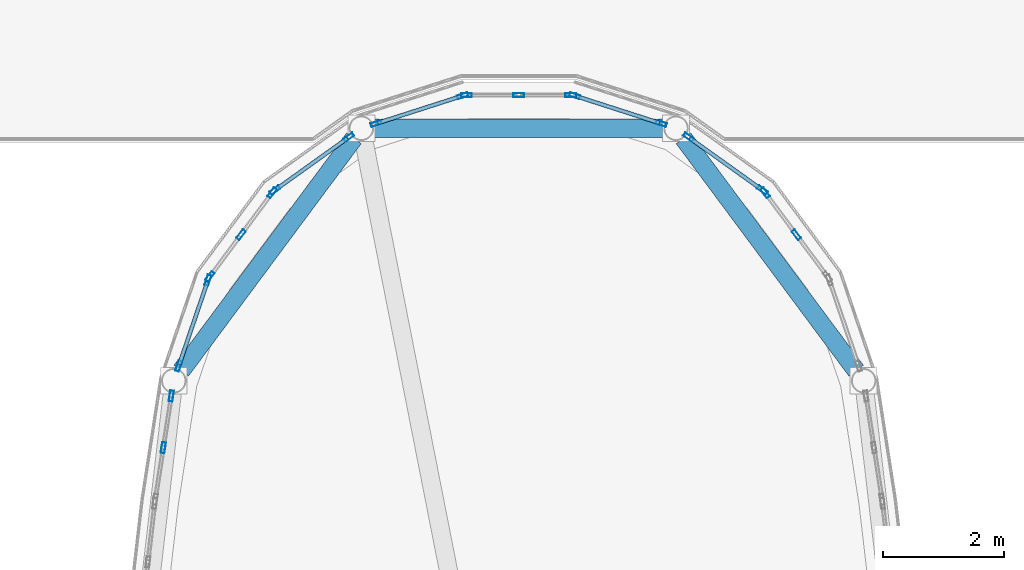
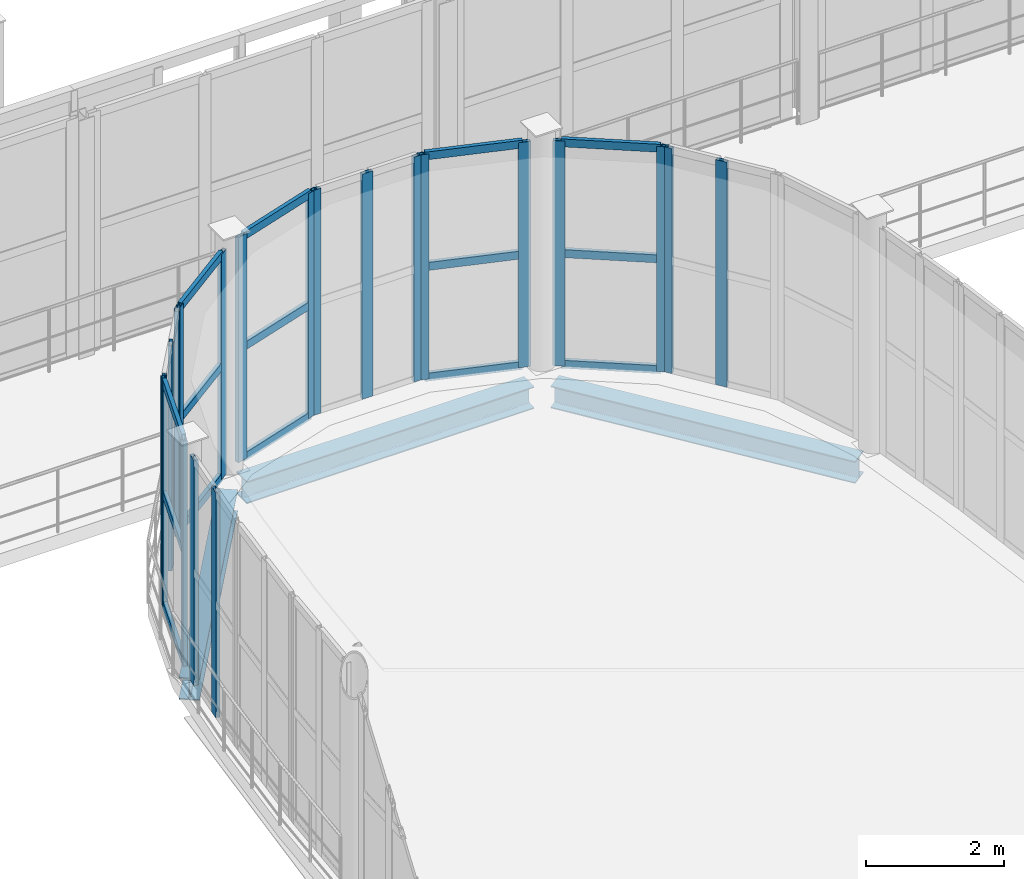
# One storey, part 49 of 121: 35 members, 3 beams, 9 elements without a shape of their own.
"""IFC4 building model written with IfcOpenShell, lengths in metres."""

import ifcopenshell
import ifcopenshell.guid

model = None  # the IFC model being written
_history = None  # IfcOwnerHistory: only IFC2X3 demands one
_inside = {}  # id of a spatial element -> (the spatial element, [elements in it])
_under = {}  # id of a project, library or spatial element -> (it, [spatial elements below it])
_declared = {}  # id of a project -> (the project, [libraries it declares])
_typed = {}  # id of a type object -> (the type object, [elements of that type])
_made_of = {}  # id of a material, layer set ... -> (it, [elements and type objects made of it])


def new_model(schema):
    """Start an empty IFC model of exactly this schema.

    Asked for "IFC4X3", IfcOpenShell would pick the latest addendum, in which some entities
    have other attributes; the version numbers below select the first issue.
    IFC2X3 requires an IfcOwnerHistory on every rooted entity: one is made here for all.
    """
    global model, _history
    if schema == "IFC4X3":
        model = ifcopenshell.file(schema_version=(4, 3, 0, 0))
    else:
        model = ifcopenshell.file(schema=schema)
    _inside.clear()
    _under.clear()
    _declared.clear()
    _typed.clear()
    _made_of.clear()
    _history = None
    if model.schema == "IFC2X3":
        org = make("IfcOrganization", Name="unknown")
        user = make(
            "IfcPersonAndOrganization",
            ThePerson=make("IfcPerson", FamilyName="unknown"),
            TheOrganization=org,
        )
        app = make(
            "IfcApplication",
            ApplicationDeveloper=org,
            Version="unknown",
            ApplicationFullName="unknown",
            ApplicationIdentifier="unknown",
        )
        _history = make(
            "IfcOwnerHistory",
            OwningUser=user,
            OwningApplication=app,
            ChangeAction="ADDED",
            CreationDate=0,
        )
    return model


def make(cls, **values):
    """One entity of the class cls with the attributes given. An attribute that is None is left unset."""
    return model.create_entity(
        cls, **{name: value for name, value in values.items() if value is not None}
    )


def rooted(cls, **values):
    """An entity with a GlobalId (a new one), such as an element, a storey or a relation."""
    return make(cls, GlobalId=ifcopenshell.guid.new(), OwnerHistory=_history, **values)


def si_unit(unit_type, name, prefix=None):
    """IfcSIUnit, for example si_unit("LENGTHUNIT", "METRE", prefix="MILLI")."""
    return make("IfcSIUnit", UnitType=unit_type, Prefix=prefix, Name=name)


def assignment(units):
    """IfcUnitAssignment: the units of a project."""
    return None if units is None else make("IfcUnitAssignment", Units=units)


def point(xyz):
    """IfcCartesianPoint."""
    return None if xyz is None else make("IfcCartesianPoint", Coordinates=xyz)


def direction(xyz):
    """IfcDirection."""
    return None if xyz is None else make("IfcDirection", DirectionRatios=xyz)


def frame(location, z_axis=None, x_axis=None):
    """IfcAxis2Placement3D, a coordinate frame: its origin and axes. An axis left out is left unset."""
    return make(
        "IfcAxis2Placement3D",
        Location=point(location),
        Axis=direction(z_axis),
        RefDirection=direction(x_axis),
    )


def frame_2d(location, x_axis=None):
    """IfcAxis2Placement2D, a coordinate frame in the plane: its origin and x axis."""
    return make(
        "IfcAxis2Placement2D", Location=point(location), RefDirection=direction(x_axis)
    )


def origin():
    """The frame at (0, 0, 0) with its axes left unset."""
    return frame((0.0, 0.0, 0.0))


def origin_2d():
    """The frame at (0, 0) in the plane with its x axis left unset."""
    return frame_2d((0.0, 0.0))


def place(relative_to, where):
    """IfcLocalPlacement: puts the frame where relative to a parent placement (None: the world)."""
    return make(
        "IfcLocalPlacement", PlacementRelTo=relative_to, RelativePlacement=where
    )


def context(
    kind, dimensions, precision=None, world=None, true_north=None, identifier=None
):
    """IfcGeometricRepresentationContext, for example the 3D "Model" context."""
    return make(
        "IfcGeometricRepresentationContext",
        ContextIdentifier=identifier,
        ContextType=kind,
        CoordinateSpaceDimension=dimensions,
        Precision=precision,
        WorldCoordinateSystem=world,
        TrueNorth=true_north,
    )


def subcontext(parent, identifier, kind, view, scale=None):
    """IfcGeometricRepresentationSubContext, for example "Body" below "Model"."""
    return make(
        "IfcGeometricRepresentationSubContext",
        ContextIdentifier=identifier,
        ContextType=kind,
        ParentContext=parent,
        TargetScale=scale,
        TargetView=view,
    )


def project(units=None, contexts=None):
    """IfcProject with its units and contexts."""
    return rooted(
        "IfcProject",
        Name="project",
        RepresentationContexts=contexts,
        UnitsInContext=assignment(units),
    )


def spatial(cls, under=None, at=None, **own):
    """A site, building, storey or space (cls), placed at a placement, below another one or the project."""
    s = rooted(cls, ObjectPlacement=at, **own)
    if under is not None:
        _under.setdefault(under.id(), (under, []))[1].append(s)
    return s


def profile(cls, at=None, kind="AREA", **sizes):
    """A parametric profile (cls). Its sizes go by their IFC names, for example OverallWidth=200.0."""
    return make(cls, ProfileType=kind, Position=at, **sizes)


def hollow_rectangle(**sizes):
    """IfcRectangleHollowProfileDef."""
    return profile("IfcRectangleHollowProfileDef", **sizes)


def i_section(**sizes):
    """IfcIShapeProfileDef."""
    return profile("IfcIShapeProfileDef", **sizes)


def extrude(swept, where, along, depth):
    """IfcExtrudedAreaSolid: the profile swept, set in the frame where, extruded along a direction by depth."""
    return make(
        "IfcExtrudedAreaSolid",
        SweptArea=swept,
        Position=where,
        ExtrudedDirection=direction(along),
        Depth=depth,
    )


def shape(context_of_items, identifier, shape_type, items):
    """IfcShapeRepresentation: the items that make up one representation, for example the "Body"."""
    return make(
        "IfcShapeRepresentation",
        ContextOfItems=context_of_items,
        RepresentationIdentifier=identifier,
        RepresentationType=shape_type,
        Items=items,
    )


def material(Name=None, Category=None):
    """IfcMaterial."""
    return make("IfcMaterial", Name=Name, Category=Category)


def layer(
    of_material, thickness, ventilated=None, Name=None, Category=None, Priority=None
):
    """IfcMaterialLayer: one layer of a wall or slab, of a material (None: an air gap)."""
    return make(
        "IfcMaterialLayer",
        Material=of_material,
        LayerThickness=thickness,
        IsVentilated=ventilated,
        Name=Name,
        Category=Category,
        Priority=Priority,
    )


def layer_set(layers, Name=None):
    """IfcMaterialLayerSet."""
    return make("IfcMaterialLayerSet", MaterialLayers=layers, LayerSetName=Name)


def material_profile(
    of_material, cross_section, Name=None, Category=None, Priority=None
):
    """IfcMaterialProfile: a cross section and its material."""
    return make(
        "IfcMaterialProfile",
        Name=Name,
        Material=of_material,
        Profile=cross_section,
        Priority=Priority,
        Category=Category,
    )


def profile_set(profiles, Name=None, composite=None):
    """IfcMaterialProfileSet."""
    return make(
        "IfcMaterialProfileSet",
        Name=Name,
        MaterialProfiles=profiles,
        CompositeProfile=composite,
    )


def made_of(thing, what):
    """Note that an element or type object is made of a material, layer set ...; save() writes the relation."""
    if what is not None:
        _made_of.setdefault(what.id(), (what, []))[1].append(thing)
    return thing


def type_object(cls, material=None, **own):
    """A type object (cls), such as IfcWallType, which elements share."""
    return made_of(rooted(cls, **own), material)


def element(
    cls,
    number,
    at=None,
    inside=None,
    cuts=None,
    type_object=None,
    material=None,
    context=None,
    identifier="Body",
    shape_type=None,
    held_by="IfcProductDefinitionShape",
    body=None,
    shapes=None,
    **own,
):
    """One element of the class cls, such as IfcWall. Its Tag is "e" and its number.

    at: its placement. inside: the storey or other place that contains it. cuts: it is an
    opening in that element (IfcRelVoidsElement). A single representation is given by context,
    identifier, shape_type and body (its items); several are given by shapes. held_by: the class
    of the entity that holds the representations. save() writes the other relations.
    """
    e = rooted(cls, Tag="e%d" % number, ObjectPlacement=at, **own)
    if body is not None:
        shapes = [shape(context, identifier, shape_type, body)]
    if shapes is not None:
        e.Representation = make(held_by, Representations=shapes)
    if inside is not None:
        _inside.setdefault(inside.id(), (inside, []))[1].append(e)
    if cuts is not None:
        rooted(
            "IfcRelVoidsElement", RelatingBuildingElement=cuts, RelatedOpeningElement=e
        )
    if type_object is not None:
        _typed.setdefault(type_object.id(), (type_object, []))[1].append(e)
    return made_of(e, material)


def aggregate(whole, parts):
    """IfcRelAggregates: a whole, such as a stair, and the parts it consists of."""
    return rooted("IfcRelAggregates", RelatingObject=whole, RelatedObjects=parts)


def save(model, path):
    """Write the relations noted so far, then the file.

    IfcRelAggregates (storeys below a building ...), IfcRelContainedInSpatialStructure (elements
    in a storey), IfcRelDefinesByType, IfcRelAssociatesMaterial and IfcRelDeclares: one each for
    every whole, place, type object, material and project.
    """
    for whole, parts in _under.values():
        aggregate(whole, parts)
    for where, things in _inside.values():
        rooted(
            "IfcRelContainedInSpatialStructure",
            RelatedElements=things,
            RelatingStructure=where,
        )
    for kind, things in _typed.values():
        rooted("IfcRelDefinesByType", RelatedObjects=things, RelatingType=kind)
    for what, things in _made_of.values():
        rooted("IfcRelAssociatesMaterial", RelatedObjects=things, RelatingMaterial=what)
    for by, libraries in _declared.values():
        rooted("IfcRelDeclares", RelatingContext=by, RelatedDefinitions=libraries)
    model.write(path)


model = new_model("IFC4")

# Units and contexts
model_context = context("Model", 3, precision=1e-05, world=origin(), true_north=direction((0.0, 1.0)))
body_context = subcontext(model_context, "Body", "Model", "MODEL_VIEW")
ifc_project = project(units=[si_unit("LENGTHUNIT", "METRE"), si_unit("AREAUNIT", "SQUARE_METRE"), si_unit("VOLUMEUNIT", "CUBIC_METRE"), si_unit("PLANEANGLEUNIT", "RADIAN"), si_unit("MASSUNIT", "GRAM", prefix="KILO")], contexts=[model_context])

# Site, building, storey
site_placement = place(None, origin())
site = spatial("IfcSite", under=ifc_project, at=site_placement, CompositionType="ELEMENT")
building_placement = place(site_placement, origin())
building = spatial("IfcBuilding", under=site, at=building_placement, Name="Vinh Khe Railworks Police Headquarters", CompositionType="ELEMENT")
storey_placement = place(building_placement, frame((0.0, 0.0, 4.800048828125)))
storey = spatial("IfcBuildingStorey", under=building, at=storey_placement, Name="L01", CompositionType="ELEMENT", Elevation=4.800048828125)

# Curtain wall, members
ifc_material_1 = material(Name="Anodised aluminium and acoustic laminated glass", Category="aluminium")
ifc_layer = layer(ifc_material_1, 0.159912109375)
ifc_layer_set = layer_set([ifc_layer], Name="Anodised aluminium and acoustic laminated glass")
curtain_wall_type = type_object("IfcCurtainWallType", Name="CW-DRUM-CHORD", PredefinedType="USERDEFINED", material=ifc_layer_set)
curtain_wall_1_placement = place(storey_placement, origin())
curtain_wall_1 = element("IfcCurtainWall", 1, at=curtain_wall_1_placement, inside=storey, type_object=curtain_wall_type, Name="Elliptical Command Drum Glazing L01 Chord 11", ObjectType="DRUM FACADE GLAZING", PredefinedType="USERDEFINED")
ifc_material_2 = material(Name="Anodised aluminium 6063-T6", Category="aluminium")
ifc_material_profile_1 = material_profile(ifc_material_2, hollow_rectangle(XDim=0.06494140625, YDim=0.179931640625, WallThickness=0.0048828125, at=origin_2d()), Name="CW-M 65x180x5")
ifc_profile_set_1 = profile_set([ifc_material_profile_1], Name="Anodised aluminium 6063-T6")
member_type_1 = type_object("IfcMemberType", Name="MULL-CWM-02", PredefinedType="MULLION", material=ifc_profile_set_1)
member_1_placement = place(storey_placement, frame((47.799072265625, 53.4736328125, 0.0), z_axis=(0.0, 0.0, 1.0), x_axis=(-0.802591949394, -0.596528425784, 0.0)))
member_1 = element("IfcMember", 2, at=member_1_placement, type_object=member_type_1, Name="CW-02 mullion 2", PredefinedType="MULLION", context=body_context, shape_type="SweptSolid", body=[
    extrude(hollow_rectangle(XDim=0.06494140625, YDim=0.179931640625, WallThickness=0.0048828125, at=origin_2d()), origin(), (0.0, 0.0, 1.0), 3.969970703125),
])
member_2_placement = place(storey_placement, frame((47.283447265625, 54.16748046875, 0.0), z_axis=(0.0, 0.0, 1.0), x_axis=(-0.802591949394, -0.596528425784, 0.0)))
member_2 = element("IfcMember", 3, at=member_2_placement, type_object=member_type_1, Name="CW-02 mullion 3", PredefinedType="MULLION", context=body_context, shape_type="SweptSolid", body=[
    extrude(hollow_rectangle(XDim=0.06494140625, YDim=0.179931640625, WallThickness=0.0048828125, at=origin_2d()), origin(), (0.0, 0.0, 1.0), 3.969970703125),
])
aggregate(curtain_wall_1, [member_1, member_2])

curtain_wall_2_placement = place(storey_placement, origin())
curtain_wall_2 = element("IfcCurtainWall", 4, at=curtain_wall_2_placement, inside=storey, type_object=curtain_wall_type, Name="Elliptical Command Drum Glazing L01 Chord 12", ObjectType="DRUM FACADE GLAZING", PredefinedType="USERDEFINED")
member_3_placement = place(storey_placement, frame((47.237548828125, 54.21240234375, 0.0), z_axis=(0.0, 0.0, 1.0), x_axis=(-0.581916726344, -0.813248377558, 0.0)))
member_3 = element("IfcMember", 5, at=member_3_placement, type_object=member_type_1, Name="CW-02 mullion 1", PredefinedType="MULLION", context=body_context, shape_type="SweptSolid", body=[
    extrude(hollow_rectangle(XDim=0.06494140625, YDim=0.179931640625, WallThickness=0.0048828125, at=origin_2d()), origin(), (0.0, 0.0, 1.0), 3.969970703125),
])
member_4_placement = place(storey_placement, frame((46.012939453125, 55.088623046875, 0.0), z_axis=(0.0, 0.0, 1.0), x_axis=(-0.581916726344, -0.813248377558, 0.0)))
member_4 = element("IfcMember", 6, at=member_4_placement, type_object=member_type_1, Name="CW-02 mullion 2", PredefinedType="MULLION", context=body_context, shape_type="SweptSolid", body=[
    extrude(hollow_rectangle(XDim=0.06494140625, YDim=0.179931640625, WallThickness=0.0048828125, at=origin_2d()), origin(), (0.0, 0.0, 1.0), 3.969970703125),
])

curtain_wall_3_placement = place(storey_placement, origin())
curtain_wall_3 = element("IfcCurtainWall", 7, at=curtain_wall_3_placement, inside=storey, type_object=curtain_wall_type, Name="Elliptical Command Drum Glazing L01 Chord 13", ObjectType="DRUM FACADE GLAZING", PredefinedType="USERDEFINED")
member_5_placement = place(storey_placement, frame((45.5615234375, 55.315673828125, 0.0), z_axis=(0.0, 0.0, 1.0), x_axis=(-0.305575348994, -0.952167898055, 0.0)))
member_5 = element("IfcMember", 8, at=member_5_placement, type_object=member_type_1, Name="CW-02 mullion 1", PredefinedType="MULLION", context=body_context, shape_type="SweptSolid", body=[
    extrude(hollow_rectangle(XDim=0.06494140625, YDim=0.179931640625, WallThickness=0.0048828125, at=origin_2d()), origin(), (0.0, 0.0, 1.0), 3.969970703125),
])
member_6_placement = place(storey_placement, frame((44.1279296875, 55.775634765625, 0.0), z_axis=(0.0, 0.0, 1.0), x_axis=(-0.305575348994, -0.952167898055, 0.0)))
member_6 = element("IfcMember", 9, at=member_6_placement, type_object=member_type_1, Name="CW-02 mullion 2", PredefinedType="MULLION", context=body_context, shape_type="SweptSolid", body=[
    extrude(hollow_rectangle(XDim=0.06494140625, YDim=0.179931640625, WallThickness=0.0048828125, at=origin_2d()), origin(), (0.0, 0.0, 1.0), 3.969970703125),
])

curtain_wall_4_placement = place(storey_placement, origin())
curtain_wall_4 = element("IfcCurtainWall", 10, at=curtain_wall_4_placement, inside=storey, type_object=curtain_wall_type, Name="Elliptical Command Drum Glazing L01 Chord 14", ObjectType="DRUM FACADE GLAZING", PredefinedType="USERDEFINED")
member_7_placement = place(storey_placement, frame((44.064453125, 55.78564453125, 0.0), z_axis=(0.0, 0.0, 1.0), x_axis=(0.0, -1.0, 0.0)))
member_7 = element("IfcMember", 11, at=member_7_placement, type_object=member_type_1, Name="CW-02 mullion 1", PredefinedType="MULLION", context=body_context, shape_type="SweptSolid", body=[
    extrude(hollow_rectangle(XDim=0.06494140625, YDim=0.179931640625, WallThickness=0.0048828125, at=origin_2d()), origin(), (0.0, 0.0, 1.0), 3.969970703125),
])
member_8_placement = place(storey_placement, frame((43.199951171875, 55.78564453125, 0.0), z_axis=(0.0, 0.0, 1.0), x_axis=(0.0, -1.0, 0.0)))
member_8 = element("IfcMember", 12, at=member_8_placement, type_object=member_type_1, Name="CW-02 mullion 2", PredefinedType="MULLION", context=body_context, shape_type="SweptSolid", body=[
    extrude(hollow_rectangle(XDim=0.06494140625, YDim=0.179931640625, WallThickness=0.0048828125, at=origin_2d()), origin(), (0.0, 0.0, 1.0), 3.969970703125),
])
member_9_placement = place(storey_placement, frame((42.33544921875, 55.78564453125, 0.0), z_axis=(0.0, 0.0, 1.0), x_axis=(0.0, -1.0, 0.0)))
member_9 = element("IfcMember", 13, at=member_9_placement, type_object=member_type_1, Name="CW-02 mullion 3", PredefinedType="MULLION", context=body_context, shape_type="SweptSolid", body=[
    extrude(hollow_rectangle(XDim=0.06494140625, YDim=0.179931640625, WallThickness=0.0048828125, at=origin_2d()), origin(), (0.0, 0.0, 1.0), 3.969970703125),
])
aggregate(curtain_wall_4, [member_7, member_8, member_9])

curtain_wall_5_placement = place(storey_placement, origin())
curtain_wall_5 = element("IfcCurtainWall", 14, at=curtain_wall_5_placement, inside=storey, type_object=curtain_wall_type, Name="Elliptical Command Drum Glazing L01 Chord 15", ObjectType="DRUM FACADE GLAZING", PredefinedType="USERDEFINED")
member_10_placement = place(storey_placement, frame((42.27197265625, 55.775634765625, 0.0), z_axis=(0.0, 0.0, 1.0), x_axis=(0.305575348994, -0.952167898055, 0.0)))
member_10 = element("IfcMember", 15, at=member_10_placement, type_object=member_type_1, Name="CW-02 mullion 1", PredefinedType="MULLION", context=body_context, shape_type="SweptSolid", body=[
    extrude(hollow_rectangle(XDim=0.06494140625, YDim=0.179931640625, WallThickness=0.0048828125, at=origin_2d()), origin(), (0.0, 0.0, 1.0), 3.969970703125),
])
member_11_placement = place(storey_placement, frame((40.83837890625, 55.315673828125, 0.0), z_axis=(0.0, 0.0, 1.0), x_axis=(0.305575348994, -0.952167898055, 0.0)))
member_11 = element("IfcMember", 16, at=member_11_placement, type_object=member_type_1, Name="CW-02 mullion 2", PredefinedType="MULLION", context=body_context, shape_type="SweptSolid", body=[
    extrude(hollow_rectangle(XDim=0.06494140625, YDim=0.179931640625, WallThickness=0.0048828125, at=origin_2d()), origin(), (0.0, 0.0, 1.0), 3.969970703125),
])

curtain_wall_6_placement = place(storey_placement, origin())
curtain_wall_6 = element("IfcCurtainWall", 17, at=curtain_wall_6_placement, inside=storey, type_object=curtain_wall_type, Name="Elliptical Command Drum Glazing L01 Chord 16", ObjectType="DRUM FACADE GLAZING", PredefinedType="USERDEFINED")
member_12_placement = place(storey_placement, frame((40.386962890625, 55.088623046875, 0.0), z_axis=(0.0, 0.0, 1.0), x_axis=(0.581916726344, -0.813248377558, 0.0)))
member_12 = element("IfcMember", 18, at=member_12_placement, type_object=member_type_1, Name="CW-02 mullion 1", PredefinedType="MULLION", context=body_context, shape_type="SweptSolid", body=[
    extrude(hollow_rectangle(XDim=0.06494140625, YDim=0.179931640625, WallThickness=0.0048828125, at=origin_2d()), origin(), (0.0, 0.0, 1.0), 3.969970703125),
])
member_13_placement = place(storey_placement, frame((39.162353515625, 54.21240234375, 0.0), z_axis=(0.0, 0.0, 1.0), x_axis=(0.581916726344, -0.813248377558, 0.0)))
member_13 = element("IfcMember", 19, at=member_13_placement, type_object=member_type_1, Name="CW-02 mullion 2", PredefinedType="MULLION", context=body_context, shape_type="SweptSolid", body=[
    extrude(hollow_rectangle(XDim=0.06494140625, YDim=0.179931640625, WallThickness=0.0048828125, at=origin_2d()), origin(), (0.0, 0.0, 1.0), 3.969970703125),
])

curtain_wall_7_placement = place(storey_placement, origin())
curtain_wall_7 = element("IfcCurtainWall", 20, at=curtain_wall_7_placement, inside=storey, type_object=curtain_wall_type, Name="Elliptical Command Drum Glazing L01 Chord 17", ObjectType="DRUM FACADE GLAZING", PredefinedType="USERDEFINED")
member_14_placement = place(storey_placement, frame((39.11669921875, 54.16748046875, 0.0), z_axis=(0.0, 0.0, 1.0), x_axis=(0.802591949394, -0.596528425784, 0.0)))
member_14 = element("IfcMember", 21, at=member_14_placement, type_object=member_type_1, Name="CW-02 mullion 1", PredefinedType="MULLION", context=body_context, shape_type="SweptSolid", body=[
    extrude(hollow_rectangle(XDim=0.06494140625, YDim=0.179931640625, WallThickness=0.0048828125, at=origin_2d()), origin(), (0.0, 0.0, 1.0), 3.969970703125),
])
member_15_placement = place(storey_placement, frame((38.60107421875, 53.4736328125, 0.0), z_axis=(0.0, 0.0, 1.0), x_axis=(0.802591949394, -0.596528425784, 0.0)))
member_15 = element("IfcMember", 22, at=member_15_placement, type_object=member_type_1, Name="CW-02 mullion 2", PredefinedType="MULLION", context=body_context, shape_type="SweptSolid", body=[
    extrude(hollow_rectangle(XDim=0.06494140625, YDim=0.179931640625, WallThickness=0.0048828125, at=origin_2d()), origin(), (0.0, 0.0, 1.0), 3.969970703125),
])
member_16_placement = place(storey_placement, frame((38.085205078125, 52.77978515625, 0.0), z_axis=(0.0, 0.0, 1.0), x_axis=(0.802591949394, -0.596528425784, 0.0)))
member_16 = element("IfcMember", 23, at=member_16_placement, type_object=member_type_1, Name="CW-02 mullion 3", PredefinedType="MULLION", context=body_context, shape_type="SweptSolid", body=[
    extrude(hollow_rectangle(XDim=0.06494140625, YDim=0.179931640625, WallThickness=0.0048828125, at=origin_2d()), origin(), (0.0, 0.0, 1.0), 3.969970703125),
])
aggregate(curtain_wall_7, [member_14, member_15, member_16])

curtain_wall_8_placement = place(storey_placement, origin())
curtain_wall_8 = element("IfcCurtainWall", 24, at=curtain_wall_8_placement, inside=storey, type_object=curtain_wall_type, Name="Elliptical Command Drum Glazing L01 Chord 18", ObjectType="DRUM FACADE GLAZING", PredefinedType="USERDEFINED")
member_17_placement = place(storey_placement, frame((38.055419921875, 52.72314453125, 0.0), z_axis=(0.0, 0.0, 1.0), x_axis=(0.946484112141, -0.322750407381, 0.0)))
member_17 = element("IfcMember", 25, at=member_17_placement, type_object=member_type_1, Name="CW-02 mullion 1", PredefinedType="MULLION", context=body_context, shape_type="SweptSolid", body=[
    extrude(hollow_rectangle(XDim=0.06494140625, YDim=0.179931640625, WallThickness=0.0048828125, at=origin_2d()), origin(), (0.0, 0.0, 1.0), 3.969970703125),
])
member_18_placement = place(storey_placement, frame((37.569580078125, 51.2978515625, 0.0), z_axis=(0.0, 0.0, 1.0), x_axis=(0.946484112141, -0.322750407381, 0.0)))
member_18 = element("IfcMember", 26, at=member_18_placement, type_object=member_type_1, Name="CW-02 mullion 2", PredefinedType="MULLION", context=body_context, shape_type="SweptSolid", body=[
    extrude(hollow_rectangle(XDim=0.06494140625, YDim=0.179931640625, WallThickness=0.0048828125, at=origin_2d()), origin(), (0.0, 0.0, 1.0), 3.969970703125),
])

curtain_wall_9_placement = place(storey_placement, origin())
curtain_wall_9 = element("IfcCurtainWall", 27, at=curtain_wall_9_placement, inside=storey, type_object=curtain_wall_type, Name="Elliptical Command Drum Glazing L01 Chord 19", ObjectType="DRUM FACADE GLAZING", PredefinedType="USERDEFINED")
member_19_placement = place(storey_placement, frame((37.44775390625, 50.80322265625, 0.0), z_axis=(0.0, 0.0, 1.0), x_axis=(0.988150267331, -0.153489573502, 0.0)))
member_19 = element("IfcMember", 28, at=member_19_placement, type_object=member_type_1, Name="CW-02 mullion 1", PredefinedType="MULLION", context=body_context, shape_type="SweptSolid", body=[
    extrude(hollow_rectangle(XDim=0.06494140625, YDim=0.179931640625, WallThickness=0.0048828125, at=origin_2d()), origin(), (0.0, 0.0, 1.0), 3.969970703125),
])
member_20_placement = place(storey_placement, frame((37.314697265625, 49.9462890625, 0.0), z_axis=(0.0, 0.0, 1.0), x_axis=(0.988150267331, -0.153489573502, 0.0)))
member_20 = element("IfcMember", 29, at=member_20_placement, type_object=member_type_1, Name="CW-02 mullion 2", PredefinedType="MULLION", context=body_context, shape_type="SweptSolid", body=[
    extrude(hollow_rectangle(XDim=0.06494140625, YDim=0.179931640625, WallThickness=0.0048828125, at=origin_2d()), origin(), (0.0, 0.0, 1.0), 3.969970703125),
])
aggregate(curtain_wall_9, [member_19, member_20])

# Beams
ifc_material_3 = material(Name="Steel S355JR", Category="steel")
ifc_material_profile_2 = material_profile(ifc_material_3, i_section(OverallWidth=0.300048828125, OverallDepth=0.389892578125, WebThickness=0.010986328125, FlangeThickness=0.01904296875, FilletRadius=0.027099609375, at=origin_2d()), Name="HEA 400")
ifc_profile_set_2 = profile_set([ifc_material_profile_2], Name="Steel S355JR")
beam_type = type_object("IfcBeamType", Name="Steel Girder HEA 400", PredefinedType="BEAM", material=ifc_profile_set_2)
beam_placement = place(storey_placement, frame((48.788818359375, 51.22314453125, -0.43505859375), z_axis=(-0.596522783683, 0.802596142868, 0.0), x_axis=(-0.802596142868, -0.596522783683, 0.0)))
element("IfcBeam", 30, at=beam_placement, inside=storey, type_object=beam_type, Name="Drum Ring Girder BM-L01-DRUM-SB-14-0722", PredefinedType="BEAM", context=body_context, shape_type="SweptSolid", body=[
    extrude(i_section(OverallWidth=0.300048828125, OverallDepth=0.389892578125, WebThickness=0.010986328125, FlangeThickness=0.01904296875, FilletRadius=0.027099609375, at=origin_2d()), origin(), (0.0, 0.0, 1.0), 4.79345703125),
])
for number, where, z_axis, x_axis, name in (
    (31, (45.5966796875, 55.237548828125, -0.43505859375), (-1.0, 0.0, 0.0), (0.0, -1.0, 0.0), "Drum Ring Girder BM-L01-DRUM-SB-14-0723"),
    (32, (40.470458984375, 55.0703125, -0.43505859375), (-0.596489973406, -0.802620527788, 0.0), (0.802620527788, -0.596489973406, 0.0), "Drum Ring Girder BM-L01-DRUM-SB-14-0724"),
):
    element("IfcBeam", number, at=place(storey_placement, frame(where, z_axis=z_axis, x_axis=x_axis)), inside=storey, type_object=beam_type, Name=name, PredefinedType="BEAM", context=body_context, shape_type="SweptSolid", body=[
        extrude(i_section(OverallWidth=0.300048828125, OverallDepth=0.389892578125, WebThickness=0.010986328125, FlangeThickness=0.01904296875, FilletRadius=0.027099609375, at=origin_2d()), origin(), (0.0, 0.0, 1.0), 4.793212890625),
    ])

# Member
ifc_material_profile_3 = material_profile(ifc_material_2, hollow_rectangle(XDim=0.06494140625, YDim=0.139892578125, WallThickness=0.00390625, at=origin_2d()), Name="CW-T 65x140x4")
ifc_profile_set_3 = profile_set([ifc_material_profile_3], Name="Anodised aluminium 6063-T6")
member_type_2 = type_object("IfcMemberType", Name="TRAN-CWT-02", PredefinedType="USERDEFINED", material=ifc_profile_set_3)
member_21_placement = place(storey_placement, frame((47.211181640625, 54.2314453125, 0.032470703125), z_axis=(-0.813240827881, 0.581927277129, 0.0), x_axis=(-0.581927277129, -0.813240827881, 0.0)))
member_21 = element("IfcMember", 33, at=member_21_placement, type_object=member_type_2, Name="CW-02 transom 1.1", ObjectType="TRANSOM", PredefinedType="USERDEFINED", context=body_context, shape_type="SweptSolid", body=[
    extrude(hollow_rectangle(XDim=0.06494140625, YDim=0.139892578125, WallThickness=0.00390625, at=origin_2d()), origin(), (0.0, 0.0, 1.0), 1.440673828125),
])

member_22_placement = place(storey_placement, frame((47.211181640625, 54.2314453125, 1.98486328125), z_axis=(-0.813240827881, 0.581927277129, 0.0), x_axis=(-0.581927277129, -0.813240827881, 0.0)))
member_22 = element("IfcMember", 34, at=member_22_placement, type_object=member_type_2, Name="CW-02 transom 1.2", ObjectType="TRANSOM", PredefinedType="USERDEFINED", context=body_context, shape_type="SweptSolid", body=[
    extrude(hollow_rectangle(XDim=0.06494140625, YDim=0.139892578125, WallThickness=0.00390625, at=origin_2d()), origin(), (0.0, 0.0, 1.0), 1.440673828125),
])

member_23_placement = place(storey_placement, frame((47.211181640625, 54.2314453125, 3.9375), z_axis=(-0.813240827881, 0.581927277129, 0.0), x_axis=(-0.581927277129, -0.813240827881, 0.0)))
member_23 = element("IfcMember", 35, at=member_23_placement, type_object=member_type_2, Name="CW-02 transom 1.3", ObjectType="TRANSOM", PredefinedType="USERDEFINED", context=body_context, shape_type="SweptSolid", body=[
    extrude(hollow_rectangle(XDim=0.06494140625, YDim=0.139892578125, WallThickness=0.00390625, at=origin_2d()), origin(), (0.0, 0.0, 1.0), 1.440673828125),
])

aggregate(curtain_wall_2, [member_3, member_4, member_21, member_22, member_23])

member_24_placement = place(storey_placement, frame((45.53076171875, 55.325439453125, 0.032470703125), z_axis=(-0.952132526267, 0.305685545005, 0.0), x_axis=(-0.305685545005, -0.952132526267, 0.0)))
member_24 = element("IfcMember", 36, at=member_24_placement, type_object=member_type_2, Name="CW-02 transom 1.1", ObjectType="TRANSOM", PredefinedType="USERDEFINED", context=body_context, shape_type="SweptSolid", body=[
    extrude(hollow_rectangle(XDim=0.06494140625, YDim=0.139892578125, WallThickness=0.00390625, at=origin_2d()), origin(), (0.0, 0.0, 1.0), 1.440673828125),
])

member_25_placement = place(storey_placement, frame((45.53076171875, 55.325439453125, 1.98486328125), z_axis=(-0.952132526267, 0.305685545005, 0.0), x_axis=(-0.305685545005, -0.952132526267, 0.0)))
member_25 = element("IfcMember", 37, at=member_25_placement, type_object=member_type_2, Name="CW-02 transom 1.2", ObjectType="TRANSOM", PredefinedType="USERDEFINED", context=body_context, shape_type="SweptSolid", body=[
    extrude(hollow_rectangle(XDim=0.06494140625, YDim=0.139892578125, WallThickness=0.00390625, at=origin_2d()), origin(), (0.0, 0.0, 1.0), 1.440673828125),
])

member_26_placement = place(storey_placement, frame((45.53076171875, 55.325439453125, 3.9375), z_axis=(-0.952132526267, 0.305685545005, 0.0), x_axis=(-0.305685545005, -0.952132526267, 0.0)))
member_26 = element("IfcMember", 38, at=member_26_placement, type_object=member_type_2, Name="CW-02 transom 1.3", ObjectType="TRANSOM", PredefinedType="USERDEFINED", context=body_context, shape_type="SweptSolid", body=[
    extrude(hollow_rectangle(XDim=0.06494140625, YDim=0.139892578125, WallThickness=0.00390625, at=origin_2d()), origin(), (0.0, 0.0, 1.0), 1.440673828125),
])

aggregate(curtain_wall_3, [member_5, member_6, member_24, member_25, member_26])

member_27_placement = place(storey_placement, frame((42.2412109375, 55.765869140625, 0.032470703125), z_axis=(-0.952132526267, -0.305685545005, 0.0), x_axis=(0.305685545005, -0.952132526267, 0.0)))
member_27 = element("IfcMember", 39, at=member_27_placement, type_object=member_type_2, Name="CW-02 transom 1.1", ObjectType="TRANSOM", PredefinedType="USERDEFINED", context=body_context, shape_type="SweptSolid", body=[
    extrude(hollow_rectangle(XDim=0.06494140625, YDim=0.139892578125, WallThickness=0.00390625, at=origin_2d()), origin(), (0.0, 0.0, 1.0), 1.440673828125),
])

member_28_placement = place(storey_placement, frame((42.2412109375, 55.765869140625, 1.98486328125), z_axis=(-0.952132526267, -0.305685545005, 0.0), x_axis=(0.305685545005, -0.952132526267, 0.0)))
member_28 = element("IfcMember", 40, at=member_28_placement, type_object=member_type_2, Name="CW-02 transom 1.2", ObjectType="TRANSOM", PredefinedType="USERDEFINED", context=body_context, shape_type="SweptSolid", body=[
    extrude(hollow_rectangle(XDim=0.06494140625, YDim=0.139892578125, WallThickness=0.00390625, at=origin_2d()), origin(), (0.0, 0.0, 1.0), 1.440673828125),
])

member_29_placement = place(storey_placement, frame((42.2412109375, 55.765869140625, 3.9375), z_axis=(-0.952132526267, -0.305685545005, 0.0), x_axis=(0.305685545005, -0.952132526267, 0.0)))
member_29 = element("IfcMember", 41, at=member_29_placement, type_object=member_type_2, Name="CW-02 transom 1.3", ObjectType="TRANSOM", PredefinedType="USERDEFINED", context=body_context, shape_type="SweptSolid", body=[
    extrude(hollow_rectangle(XDim=0.06494140625, YDim=0.139892578125, WallThickness=0.00390625, at=origin_2d()), origin(), (0.0, 0.0, 1.0), 1.440673828125),
])

aggregate(curtain_wall_5, [member_10, member_11, member_27, member_28, member_29])

member_30_placement = place(storey_placement, frame((40.360595703125, 55.06982421875, 0.032470703125), z_axis=(-0.813240827881, -0.581927277129, 0.0), x_axis=(0.581927277129, -0.813240827881, 0.0)))
member_30 = element("IfcMember", 42, at=member_30_placement, type_object=member_type_2, Name="CW-02 transom 1.1", ObjectType="TRANSOM", PredefinedType="USERDEFINED", context=body_context, shape_type="SweptSolid", body=[
    extrude(hollow_rectangle(XDim=0.06494140625, YDim=0.139892578125, WallThickness=0.00390625, at=origin_2d()), origin(), (0.0, 0.0, 1.0), 1.440673828125),
])

member_31_placement = place(storey_placement, frame((40.360595703125, 55.06982421875, 1.98486328125), z_axis=(-0.813240827881, -0.581927277129, 0.0), x_axis=(0.581927277129, -0.813240827881, 0.0)))
member_31 = element("IfcMember", 43, at=member_31_placement, type_object=member_type_2, Name="CW-02 transom 1.2", ObjectType="TRANSOM", PredefinedType="USERDEFINED", context=body_context, shape_type="SweptSolid", body=[
    extrude(hollow_rectangle(XDim=0.06494140625, YDim=0.139892578125, WallThickness=0.00390625, at=origin_2d()), origin(), (0.0, 0.0, 1.0), 1.440673828125),
])

member_32_placement = place(storey_placement, frame((40.360595703125, 55.06982421875, 3.9375), z_axis=(-0.813240827881, -0.581927277129, 0.0), x_axis=(0.581927277129, -0.813240827881, 0.0)))
member_32 = element("IfcMember", 44, at=member_32_placement, type_object=member_type_2, Name="CW-02 transom 1.3", ObjectType="TRANSOM", PredefinedType="USERDEFINED", context=body_context, shape_type="SweptSolid", body=[
    extrude(hollow_rectangle(XDim=0.06494140625, YDim=0.139892578125, WallThickness=0.00390625, at=origin_2d()), origin(), (0.0, 0.0, 1.0), 1.440673828125),
])

aggregate(curtain_wall_6, [member_12, member_13, member_30, member_31, member_32])

member_33_placement = place(storey_placement, frame((38.044921875, 52.6923828125, 0.032470703125), z_axis=(-0.322777422757, -0.946474899487, 0.0), x_axis=(0.946474899487, -0.322777422757, 0.0)))
member_33 = element("IfcMember", 45, at=member_33_placement, type_object=member_type_2, Name="CW-02 transom 1.1", ObjectType="TRANSOM", PredefinedType="USERDEFINED", context=body_context, shape_type="SweptSolid", body=[
    extrude(hollow_rectangle(XDim=0.06494140625, YDim=0.139892578125, WallThickness=0.00390625, at=origin_2d()), origin(), (0.0, 0.0, 1.0), 1.44091796875),
])

member_34_placement = place(storey_placement, frame((38.044921875, 52.6923828125, 1.98486328125), z_axis=(-0.322777422757, -0.946474899487, 0.0), x_axis=(0.946474899487, -0.322777422757, 0.0)))
member_34 = element("IfcMember", 46, at=member_34_placement, type_object=member_type_2, Name="CW-02 transom 1.2", ObjectType="TRANSOM", PredefinedType="USERDEFINED", context=body_context, shape_type="SweptSolid", body=[
    extrude(hollow_rectangle(XDim=0.06494140625, YDim=0.139892578125, WallThickness=0.00390625, at=origin_2d()), origin(), (0.0, 0.0, 1.0), 1.44091796875),
])

member_35_placement = place(storey_placement, frame((38.044921875, 52.6923828125, 3.9375), z_axis=(-0.322777422757, -0.946474899487, 0.0), x_axis=(0.946474899487, -0.322777422757, 0.0)))
member_35 = element("IfcMember", 47, at=member_35_placement, type_object=member_type_2, Name="CW-02 transom 1.3", ObjectType="TRANSOM", PredefinedType="USERDEFINED", context=body_context, shape_type="SweptSolid", body=[
    extrude(hollow_rectangle(XDim=0.06494140625, YDim=0.139892578125, WallThickness=0.00390625, at=origin_2d()), origin(), (0.0, 0.0, 1.0), 1.44091796875),
])

aggregate(curtain_wall_8, [member_17, member_18, member_33, member_34, member_35])

save(model, "model.ifc")
